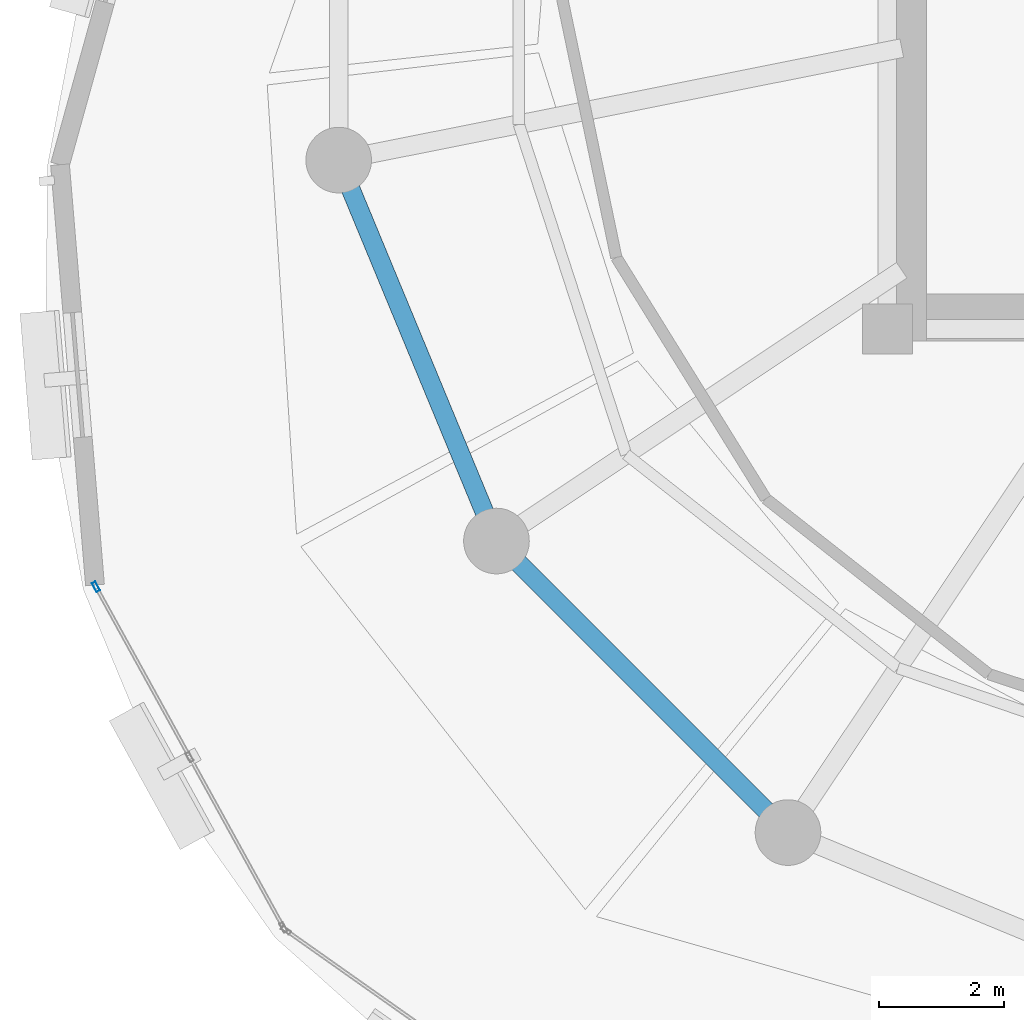
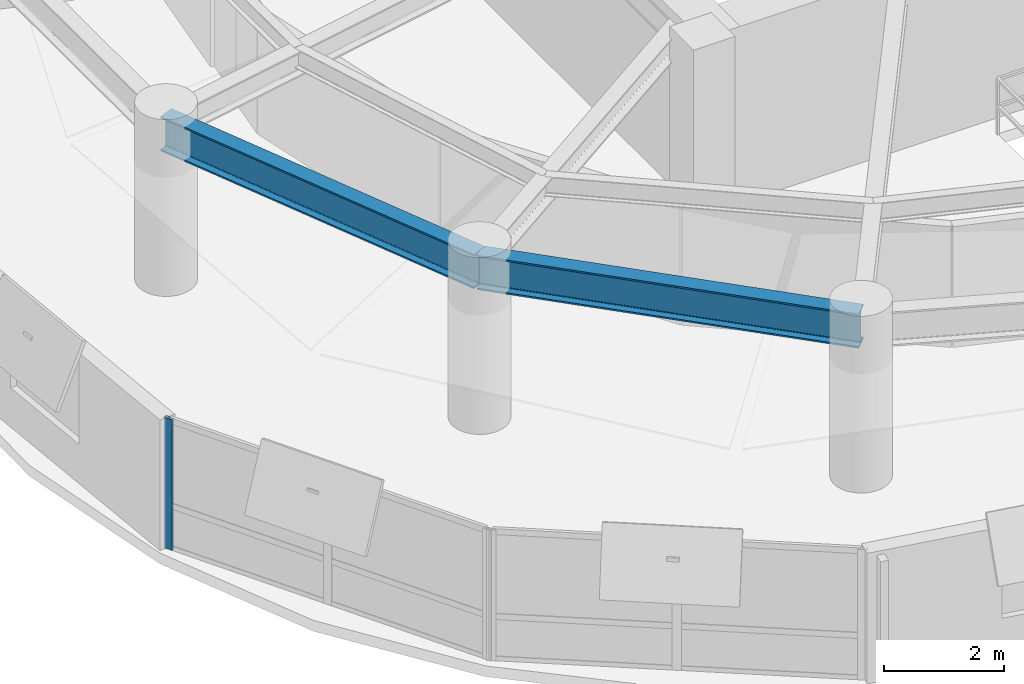
# One storey, part 4 of 12: 2 beams, 1 member, 1 element without a shape of its own.
"""IFC4 building model written with IfcOpenShell, lengths in metres."""

import ifcopenshell
import ifcopenshell.guid

model = None  # the IFC model being written
_history = None  # IfcOwnerHistory: only IFC2X3 demands one
_inside = {}  # id of a spatial element -> (the spatial element, [elements in it])
_under = {}  # id of a project, library or spatial element -> (it, [spatial elements below it])
_declared = {}  # id of a project -> (the project, [libraries it declares])
_typed = {}  # id of a type object -> (the type object, [elements of that type])
_made_of = {}  # id of a material, layer set ... -> (it, [elements and type objects made of it])


def new_model(schema):
    """Start an empty IFC model of exactly this schema.

    Asked for "IFC4X3", IfcOpenShell would pick the latest addendum, in which some entities
    have other attributes; the version numbers below select the first issue.
    IFC2X3 requires an IfcOwnerHistory on every rooted entity: one is made here for all.
    """
    global model, _history
    if schema == "IFC4X3":
        model = ifcopenshell.file(schema_version=(4, 3, 0, 0))
    else:
        model = ifcopenshell.file(schema=schema)
    _inside.clear()
    _under.clear()
    _declared.clear()
    _typed.clear()
    _made_of.clear()
    _history = None
    if model.schema == "IFC2X3":
        org = make("IfcOrganization", Name="unknown")
        user = make(
            "IfcPersonAndOrganization",
            ThePerson=make("IfcPerson", FamilyName="unknown"),
            TheOrganization=org,
        )
        app = make(
            "IfcApplication",
            ApplicationDeveloper=org,
            Version="unknown",
            ApplicationFullName="unknown",
            ApplicationIdentifier="unknown",
        )
        _history = make(
            "IfcOwnerHistory",
            OwningUser=user,
            OwningApplication=app,
            ChangeAction="ADDED",
            CreationDate=0,
        )
    return model


def make(cls, **values):
    """One entity of the class cls with the attributes given. An attribute that is None is left unset."""
    return model.create_entity(
        cls, **{name: value for name, value in values.items() if value is not None}
    )


def rooted(cls, **values):
    """An entity with a GlobalId (a new one), such as an element, a storey or a relation."""
    return make(cls, GlobalId=ifcopenshell.guid.new(), OwnerHistory=_history, **values)


def si_unit(unit_type, name, prefix=None):
    """IfcSIUnit, for example si_unit("LENGTHUNIT", "METRE", prefix="MILLI")."""
    return make("IfcSIUnit", UnitType=unit_type, Prefix=prefix, Name=name)


def assignment(units):
    """IfcUnitAssignment: the units of a project."""
    return None if units is None else make("IfcUnitAssignment", Units=units)


def point(xyz):
    """IfcCartesianPoint."""
    return None if xyz is None else make("IfcCartesianPoint", Coordinates=xyz)


def direction(xyz):
    """IfcDirection."""
    return None if xyz is None else make("IfcDirection", DirectionRatios=xyz)


def frame(location, z_axis=None, x_axis=None):
    """IfcAxis2Placement3D, a coordinate frame: its origin and axes. An axis left out is left unset."""
    return make(
        "IfcAxis2Placement3D",
        Location=point(location),
        Axis=direction(z_axis),
        RefDirection=direction(x_axis),
    )


def frame_2d(location, x_axis=None):
    """IfcAxis2Placement2D, a coordinate frame in the plane: its origin and x axis."""
    return make(
        "IfcAxis2Placement2D", Location=point(location), RefDirection=direction(x_axis)
    )


def origin():
    """The frame at (0, 0, 0) with its axes left unset."""
    return frame((0.0, 0.0, 0.0))


def origin_2d():
    """The frame at (0, 0) in the plane with its x axis left unset."""
    return frame_2d((0.0, 0.0))


def place(relative_to, where):
    """IfcLocalPlacement: puts the frame where relative to a parent placement (None: the world)."""
    return make(
        "IfcLocalPlacement", PlacementRelTo=relative_to, RelativePlacement=where
    )


def context(
    kind, dimensions, precision=None, world=None, true_north=None, identifier=None
):
    """IfcGeometricRepresentationContext, for example the 3D "Model" context."""
    return make(
        "IfcGeometricRepresentationContext",
        ContextIdentifier=identifier,
        ContextType=kind,
        CoordinateSpaceDimension=dimensions,
        Precision=precision,
        WorldCoordinateSystem=world,
        TrueNorth=true_north,
    )


def subcontext(parent, identifier, kind, view, scale=None):
    """IfcGeometricRepresentationSubContext, for example "Body" below "Model"."""
    return make(
        "IfcGeometricRepresentationSubContext",
        ContextIdentifier=identifier,
        ContextType=kind,
        ParentContext=parent,
        TargetScale=scale,
        TargetView=view,
    )


def project(units=None, contexts=None):
    """IfcProject with its units and contexts."""
    return rooted(
        "IfcProject",
        Name="project",
        RepresentationContexts=contexts,
        UnitsInContext=assignment(units),
    )


def spatial(cls, under=None, at=None, **own):
    """A site, building, storey or space (cls), placed at a placement, below another one or the project."""
    s = rooted(cls, ObjectPlacement=at, **own)
    if under is not None:
        _under.setdefault(under.id(), (under, []))[1].append(s)
    return s


def profile(cls, at=None, kind="AREA", **sizes):
    """A parametric profile (cls). Its sizes go by their IFC names, for example OverallWidth=200.0."""
    return make(cls, ProfileType=kind, Position=at, **sizes)


def hollow_rectangle(**sizes):
    """IfcRectangleHollowProfileDef."""
    return profile("IfcRectangleHollowProfileDef", **sizes)


def i_section(**sizes):
    """IfcIShapeProfileDef."""
    return profile("IfcIShapeProfileDef", **sizes)


def extrude(swept, where, along, depth):
    """IfcExtrudedAreaSolid: the profile swept, set in the frame where, extruded along a direction by depth."""
    return make(
        "IfcExtrudedAreaSolid",
        SweptArea=swept,
        Position=where,
        ExtrudedDirection=direction(along),
        Depth=depth,
    )


def shape(context_of_items, identifier, shape_type, items):
    """IfcShapeRepresentation: the items that make up one representation, for example the "Body"."""
    return make(
        "IfcShapeRepresentation",
        ContextOfItems=context_of_items,
        RepresentationIdentifier=identifier,
        RepresentationType=shape_type,
        Items=items,
    )


def material(Name=None, Category=None):
    """IfcMaterial."""
    return make("IfcMaterial", Name=Name, Category=Category)


def layer(
    of_material, thickness, ventilated=None, Name=None, Category=None, Priority=None
):
    """IfcMaterialLayer: one layer of a wall or slab, of a material (None: an air gap)."""
    return make(
        "IfcMaterialLayer",
        Material=of_material,
        LayerThickness=thickness,
        IsVentilated=ventilated,
        Name=Name,
        Category=Category,
        Priority=Priority,
    )


def layer_set(layers, Name=None):
    """IfcMaterialLayerSet."""
    return make("IfcMaterialLayerSet", MaterialLayers=layers, LayerSetName=Name)


def material_profile(
    of_material, cross_section, Name=None, Category=None, Priority=None
):
    """IfcMaterialProfile: a cross section and its material."""
    return make(
        "IfcMaterialProfile",
        Name=Name,
        Material=of_material,
        Profile=cross_section,
        Priority=Priority,
        Category=Category,
    )


def profile_set(profiles, Name=None, composite=None):
    """IfcMaterialProfileSet."""
    return make(
        "IfcMaterialProfileSet",
        Name=Name,
        MaterialProfiles=profiles,
        CompositeProfile=composite,
    )


def made_of(thing, what):
    """Note that an element or type object is made of a material, layer set ...; save() writes the relation."""
    if what is not None:
        _made_of.setdefault(what.id(), (what, []))[1].append(thing)
    return thing


def type_object(cls, material=None, **own):
    """A type object (cls), such as IfcWallType, which elements share."""
    return made_of(rooted(cls, **own), material)


def element(
    cls,
    number,
    at=None,
    inside=None,
    cuts=None,
    type_object=None,
    material=None,
    context=None,
    identifier="Body",
    shape_type=None,
    held_by="IfcProductDefinitionShape",
    body=None,
    shapes=None,
    **own,
):
    """One element of the class cls, such as IfcWall. Its Tag is "e" and its number.

    at: its placement. inside: the storey or other place that contains it. cuts: it is an
    opening in that element (IfcRelVoidsElement). A single representation is given by context,
    identifier, shape_type and body (its items); several are given by shapes. held_by: the class
    of the entity that holds the representations. save() writes the other relations.
    """
    e = rooted(cls, Tag="e%d" % number, ObjectPlacement=at, **own)
    if body is not None:
        shapes = [shape(context, identifier, shape_type, body)]
    if shapes is not None:
        e.Representation = make(held_by, Representations=shapes)
    if inside is not None:
        _inside.setdefault(inside.id(), (inside, []))[1].append(e)
    if cuts is not None:
        rooted(
            "IfcRelVoidsElement", RelatingBuildingElement=cuts, RelatedOpeningElement=e
        )
    if type_object is not None:
        _typed.setdefault(type_object.id(), (type_object, []))[1].append(e)
    return made_of(e, material)


def aggregate(whole, parts):
    """IfcRelAggregates: a whole, such as a stair, and the parts it consists of."""
    return rooted("IfcRelAggregates", RelatingObject=whole, RelatedObjects=parts)


def save(model, path):
    """Write the relations noted so far, then the file.

    IfcRelAggregates (storeys below a building ...), IfcRelContainedInSpatialStructure (elements
    in a storey), IfcRelDefinesByType, IfcRelAssociatesMaterial and IfcRelDeclares: one each for
    every whole, place, type object, material and project.
    """
    for whole, parts in _under.values():
        aggregate(whole, parts)
    for where, things in _inside.values():
        rooted(
            "IfcRelContainedInSpatialStructure",
            RelatedElements=things,
            RelatingStructure=where,
        )
    for kind, things in _typed.values():
        rooted("IfcRelDefinesByType", RelatedObjects=things, RelatingType=kind)
    for what, things in _made_of.values():
        rooted("IfcRelAssociatesMaterial", RelatedObjects=things, RelatingMaterial=what)
    for by, libraries in _declared.values():
        rooted("IfcRelDeclares", RelatingContext=by, RelatedDefinitions=libraries)
    model.write(path)


model = new_model("IFC4")

# Units and contexts
model_context = context("Model", 3, precision=1e-05, world=origin(), true_north=direction((0.0, 1.0)))
body_context = subcontext(model_context, "Body", "Model", "MODEL_VIEW")
ifc_project = project(units=[si_unit("LENGTHUNIT", "METRE"), si_unit("AREAUNIT", "SQUARE_METRE"), si_unit("VOLUMEUNIT", "CUBIC_METRE"), si_unit("PLANEANGLEUNIT", "RADIAN"), si_unit("MASSUNIT", "GRAM", prefix="KILO"), si_unit("THERMODYNAMICTEMPERATUREUNIT", "KELVIN"), si_unit("POWERUNIT", "WATT")], contexts=[model_context])

# Site, building, storey
site_placement = place(None, origin())
site = spatial("IfcSite", under=ifc_project, at=site_placement, CompositionType="ELEMENT")
building_placement = place(site_placement, origin())
building = spatial("IfcBuilding", under=site, at=building_placement, Name="Ocrelia Relay Tower", CompositionType="ELEMENT")
storey_placement = place(building_placement, frame((0.0, 0.0, 206.0)))
storey = spatial("IfcBuildingStorey", under=building, at=storey_placement, Name="L50", CompositionType="ELEMENT", Elevation=206.0)

# Beams
ifc_material_1 = material(Name="Steel S355", Category="steel")
ifc_material_profile_1 = material_profile(ifc_material_1, i_section(OverallWidth=0.300048828125, OverallDepth=0.699951171875, WebThickness=0.01708984375, FlangeThickness=0.031982421875, FilletRadius=0.027099609375, at=origin_2d()), Name="HEB 700")
ifc_profile_set_1 = profile_set([ifc_material_profile_1], Name="Steel S355")
beam_type = type_object("IfcBeamType", Name="BM-HEB700", PredefinedType="BEAM", material=ifc_profile_set_1)
for number, where, z_axis, x_axis, name in (
    (1, (17.4248046875, 22.702880859375, 3.030029296875), (0.382687508402, -0.923877844151, 0.0), (0.923877844151, 0.382687508402, 0.0), "L50 Perimeter Spandrel Beam S09"),
    (2, (19.9482421875, 16.61083984375, 3.030029296875), (0.707106781187, -0.707106781187, 0.0), (0.707106781187, 0.707106781187, 0.0), "L50 Perimeter Spandrel Beam S10"),
):
    element("IfcBeam", number, at=place(storey_placement, frame(where, z_axis=z_axis, x_axis=x_axis)), inside=storey, type_object=beam_type, Name=name, PredefinedType="BEAM", context=body_context, shape_type="SweptSolid", body=[
        extrude(i_section(OverallWidth=0.300048828125, OverallDepth=0.699951171875, WebThickness=0.01708984375, FlangeThickness=0.031982421875, FilletRadius=0.027099609375, at=origin_2d()), origin(), (0.0, 0.0, 1.0), 6.593994140625),
    ])

# Curtain wall, member
ifc_material_2 = material(Name="Aluminium and solar-control low-E glass", Category="aluminium")
ifc_layer = layer(ifc_material_2, 0.179931640625, Name="Aluminium and solar-control low-E glass")
ifc_layer_set = layer_set([ifc_layer], Name="Aluminium and solar-control low-E glass")
curtain_wall_type = type_object("IfcCurtainWallType", Name="CW-SYS-Z3-CLOU", PredefinedType="NOTDEFINED", material=ifc_layer_set)
curtain_wall_placement = place(storey_placement, origin())
curtain_wall = element("IfcCurtainWall", 3, at=curtain_wall_placement, inside=storey, type_object=curtain_wall_type, Name="L50 Elliptical Tower Curtain Wall Bay 09", PredefinedType="NOTDEFINED")
ifc_material_3 = material(Name="Anodised bronze aluminium", Category="aluminium")
ifc_material_profile_2 = material_profile(ifc_material_3, hollow_rectangle(XDim=0.06494140625, YDim=0.159912109375, WallThickness=0.0048828125, at=origin_2d()), Name="CW-MUL-160x65")
ifc_profile_set_2 = profile_set([ifc_material_profile_2], Name="Anodised bronze aluminium")
member_type = type_object("IfcMemberType", Name="CW-SYS-Z3-CLOU-MUL", PredefinedType="MULLION", material=ifc_profile_set_2)
member_placement = place(storey_placement, frame((13.54296875, 15.879150390625, 0.0), z_axis=(0.0, 0.0, 1.0), x_axis=(0.876143984088, 0.482049498647, 0.0)))
member = element("IfcMember", 4, at=member_placement, type_object=member_type, Name="CW-Z3 mullion 1", PredefinedType="MULLION", context=body_context, shape_type="SweptSolid", body=[
    extrude(hollow_rectangle(XDim=0.06494140625, YDim=0.159912109375, WallThickness=0.0048828125, at=origin_2d()), origin(), (0.0, 0.0, 1.0), 2.659912109375),
])
aggregate(curtain_wall, [member])

save(model, "model.ifc")
